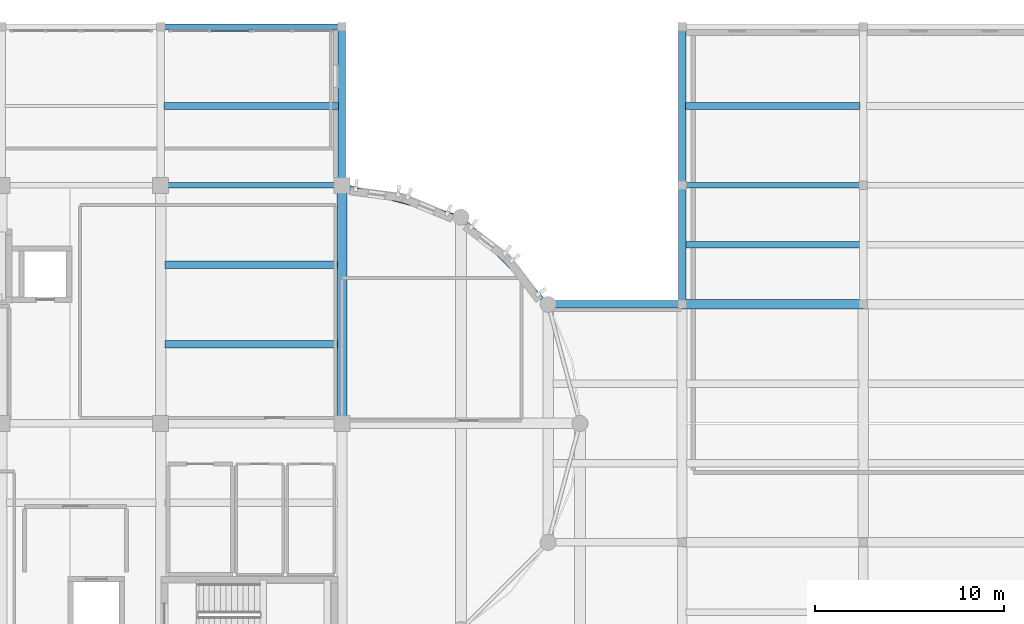
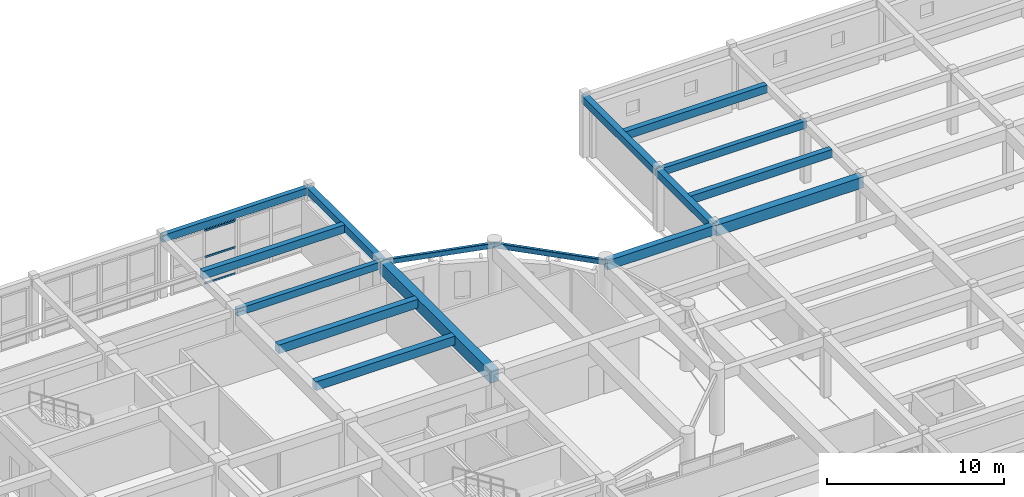
# One storey, part 42 of 92: 16 beams, 3 members, 1 element without a shape of its own.
"""IFC4 building model written with IfcOpenShell, lengths in metres."""

from ifc_helpers import new_model, si_unit, direction, frame, origin, origin_2d, place, context, subcontext, project, spatial, rectangle, hollow_rectangle, extrude, material, layer, layer_set, material_profile, profile_set, type_object, element, aggregate, save


model = new_model("IFC4")

# Units and contexts
model_context = context("Model", 3, precision=1e-05, world=origin(), true_north=direction((0.0, 1.0)))
body_context = subcontext(model_context, "Body", "Model", "MODEL_VIEW")
ifc_project = project(units=[si_unit("LENGTHUNIT", "METRE"), si_unit("AREAUNIT", "SQUARE_METRE"), si_unit("VOLUMEUNIT", "CUBIC_METRE"), si_unit("PLANEANGLEUNIT", "RADIAN"), si_unit("MASSUNIT", "GRAM", prefix="KILO")], contexts=[model_context])

# Site, building, storey
site_placement = place(None, origin())
site = spatial("IfcSite", under=ifc_project, at=site_placement, CompositionType="ELEMENT")
building_placement = place(site_placement, origin())
building = spatial("IfcBuilding", under=site, at=building_placement, Name="Tarnavel Promenade Courthouse", CompositionType="ELEMENT")
storey_placement = place(building_placement, frame((0.0, 0.0, 5.39990234375)))
storey = spatial("IfcBuildingStorey", under=building, at=storey_placement, Name="L02", CompositionType="ELEMENT", Elevation=5.39990234375)

# Beams
ifc_material_1 = material(Name="Concrete C40/50", Category="concrete")
ifc_material_profile_1 = material_profile(ifc_material_1, rectangle(XDim=0.35009765625, YDim=0.550048828125, at=origin_2d()), Name="PT 350x550")
ifc_profile_set_1 = profile_set([ifc_material_profile_1], Name="Concrete C40/50")
beam_type_1 = type_object("IfcBeamType", Name="Concrete C40/50 BM-PT-350x550 (PT 350x550)", PredefinedType="JOIST", material=ifc_profile_set_1)
for number, where, z_axis, x_axis, name in (
    (1, (92.570068359375, 108.60009765625, 3.960205078125), (1.0, 0.0, 0.0), (0.0, 1.0, 0.0), "L02 Secondary Floor Rib 1474"),
    (2, (120.169921875, 108.60009765625, 3.960205078125), (1.0, 0.0, 0.0), (0.0, 1.0, 0.0), "L02 Secondary Floor Rib 1475"),
    (3, (120.169921875, 101.25, 3.960205078125), (1.0, 0.0, 0.0), (0.0, 1.0, 0.0), "L02 Secondary Floor Rib 1511"),
):
    element("IfcBeam", number, at=place(storey_placement, frame(where, z_axis=z_axis, x_axis=x_axis)), inside=storey, type_object=beam_type_1, Name=name, PredefinedType="JOIST", context=body_context, shape_type="SweptSolid", body=[
        extrude(rectangle(XDim=0.35009765625, YDim=0.550048828125, at=origin_2d()), origin(), (0.0, 0.0, 1.0), 9.260009765625),
    ])
ifc_material_profile_2 = material_profile(ifc_material_1, rectangle(XDim=0.39990234375, YDim=0.60009765625, at=origin_2d()), Name="PT 400x600")
ifc_profile_set_2 = profile_set([ifc_material_profile_2], Name="Concrete C40/50")
beam_type_2 = type_object("IfcBeamType", Name="Concrete C40/50 BM-PT-400x600 (PT 400x600)", PredefinedType="JOIST", material=ifc_profile_set_2)
for number, where, z_axis, x_axis, name in (
    (4, (92.64501953125, 96.0, 3.93505859375), (1.0, 0.0, 0.0), (0.0, 1.0, 0.0), "L02 Secondary Floor Rib 1468"),
    (5, (92.64501953125, 100.199951171875, 3.93505859375), (1.0, 0.0, 0.0), (0.0, 1.0, 0.0), "L02 Secondary Floor Rib 1469"),
):
    element("IfcBeam", number, at=place(storey_placement, frame(where, z_axis=z_axis, x_axis=x_axis)), inside=storey, type_object=beam_type_2, Name=name, PredefinedType="JOIST", context=body_context, shape_type="SweptSolid", body=[
        extrude(rectangle(XDim=0.39990234375, YDim=0.60009765625, at=origin_2d()), origin(), (0.0, 0.0, 1.0), 9.10986328125),
    ])
ifc_material_profile_3 = material_profile(ifc_material_1, rectangle(XDim=0.550048828125, YDim=0.85009765625, at=origin_2d()), Name="PT 550x850")
ifc_profile_set_3 = profile_set([ifc_material_profile_3], Name="Concrete C40/50")
beam_type_3 = type_object("IfcBeamType", Name="Concrete C40/50 BM-PT-550x850 (PT 550x850)", PredefinedType="T_BEAM", material=ifc_profile_set_3)
beam_1_placement = place(storey_placement, frame((102.0, 91.800048828125, 3.81005859375), z_axis=(0.0, 1.0, 0.0), x_axis=(-1.0, 0.0, 0.0)))
element("IfcBeam", 6, at=beam_1_placement, inside=storey, type_object=beam_type_3, Name="L02 Transverse Girder 1308", PredefinedType="T_BEAM", context=body_context, shape_type="SweptSolid", body=[
    extrude(rectangle(XDim=0.550048828125, YDim=0.85009765625, at=origin_2d()), origin(), (0.0, 0.0, 1.0), 12.599853515625),
])
ifc_material_profile_4 = material_profile(ifc_material_1, rectangle(XDim=0.39990234375, YDim=0.5, at=origin_2d()), Name="RC 400x500")
ifc_profile_set_4 = profile_set([ifc_material_profile_4], Name="Concrete C40/50")
beam_type_4 = type_object("IfcBeamType", Name="Concrete C40/50 BM-RC-400x500 (RC 400x500)", PredefinedType="BEAM", material=ifc_profile_set_4)
beam_2_placement = place(storey_placement, frame((102.0, 104.39990234375, 3.985107421875), z_axis=(0.0, 1.0, 0.0), x_axis=(-1.0, 0.0, 0.0)))
element("IfcBeam", 7, at=beam_2_placement, inside=storey, type_object=beam_type_4, Name="L02 Transverse Girder 1309", PredefinedType="BEAM", context=body_context, shape_type="SweptSolid", body=[
    extrude(rectangle(XDim=0.39990234375, YDim=0.5, at=origin_2d()), origin(), (0.0, 0.0, 1.0), 8.400146484375),
])
beam_3_placement = place(storey_placement, frame((120.0, 98.10009765625, 3.985107421875), z_axis=(0.0, 1.0, 0.0), x_axis=(-1.0, 0.0, 0.0)))
element("IfcBeam", 8, at=beam_3_placement, inside=storey, type_object=beam_type_4, Name="L02 Transverse Girder 1321", PredefinedType="BEAM", context=body_context, shape_type="SweptSolid", body=[
    extrude(rectangle(XDim=0.39990234375, YDim=0.5, at=origin_2d()), origin(), (0.0, 0.0, 1.0), 6.2998046875),
])
beam_4_placement = place(storey_placement, frame((120.0, 104.39990234375, 3.985107421875), z_axis=(0.0, 1.0, 0.0), x_axis=(-1.0, 0.0, 0.0)))
element("IfcBeam", 9, at=beam_4_placement, inside=storey, type_object=beam_type_4, Name="L02 Transverse Girder 1322", PredefinedType="BEAM", context=body_context, shape_type="SweptSolid", body=[
    extrude(rectangle(XDim=0.39990234375, YDim=0.5, at=origin_2d()), origin(), (0.0, 0.0, 1.0), 8.400146484375),
])
ifc_material_profile_5 = material_profile(ifc_material_1, rectangle(XDim=0.39990234375, YDim=0.64990234375, at=origin_2d()), Name="RC 400x650")
ifc_profile_set_5 = profile_set([ifc_material_profile_5], Name="Concrete C40/50")
beam_type_5 = type_object("IfcBeamType", Name="Concrete C40/50 BM-RC-400x650 (RC 400x650)", PredefinedType="BEAM", material=ifc_profile_set_5)
beam_5_placement = place(storey_placement, frame((112.911865234375, 98.10009765625, 3.91015625), z_axis=(1.0, 0.0, 0.0), x_axis=(0.0, 1.0, 0.0)))
element("IfcBeam", 10, at=beam_5_placement, inside=storey, type_object=beam_type_5, Name="L02 Primary Longitudinal Beam 1196", PredefinedType="BEAM", context=body_context, shape_type="SweptSolid", body=[
    extrude(rectangle(XDim=0.39990234375, YDim=0.64990234375, at=origin_2d()), origin(), (0.0, 0.0, 1.0), 7.088134765625),
])
ifc_material_profile_6 = material_profile(ifc_material_1, rectangle(XDim=0.5, YDim=0.75, at=origin_2d()), Name="RC 500x750")
ifc_profile_set_6 = profile_set([ifc_material_profile_6], Name="Concrete C40/50")
beam_type_6 = type_object("IfcBeamType", Name="Concrete C40/50 BM-RC-500x750 (RC 500x750)", PredefinedType="T_BEAM", material=ifc_profile_set_6)
beam_6_placement = place(storey_placement, frame((120.0, 98.10009765625, 3.860107421875), z_axis=(1.0, 0.0, 0.0), x_axis=(0.0, 1.0, 0.0)))
element("IfcBeam", 11, at=beam_6_placement, inside=storey, type_object=beam_type_6, Name="L02 Primary Longitudinal Beam 1197", PredefinedType="T_BEAM", context=body_context, shape_type="SweptSolid", body=[
    extrude(rectangle(XDim=0.5, YDim=0.75, at=origin_2d()), origin(), (0.0, 0.0, 1.0), 9.60009765625),
])
ifc_material_profile_7 = material_profile(ifc_material_1, rectangle(XDim=0.300048828125, YDim=0.5, at=origin_2d()), Name="RC 300x500")
ifc_profile_set_7 = profile_set([ifc_material_profile_7], Name="Concrete C40/50")
beam_type_7 = type_object("IfcBeamType", Name="Concrete C40/50 BM-SP-300x500 (RC 300x500)", PredefinedType="SPANDREL", material=ifc_profile_set_7)
for number, where, z_axis, x_axis, name in (
    (12, (92.39990234375, 104.39990234375, 3.985107421875), (1.0, 0.0, 0.0), (0.0, 1.0, 0.0), "L02 Primary Longitudinal Beam 1205"),
    (13, (120.0, 104.39990234375, 3.985107421875), (1.0, 0.0, 0.0), (0.0, 1.0, 0.0), "L02 Primary Longitudinal Beam 1206"),
    (14, (92.39990234375, 112.800048828125, 3.985107421875), (1.0, 0.0, 0.0), (0.0, 1.0, 0.0), "L02 Primary Longitudinal Beam 1220"),
):
    element("IfcBeam", number, at=place(storey_placement, frame(where, z_axis=z_axis, x_axis=x_axis)), inside=storey, type_object=beam_type_7, Name=name, PredefinedType="SPANDREL", context=body_context, shape_type="SweptSolid", body=[
        extrude(rectangle(XDim=0.300048828125, YDim=0.5, at=origin_2d()), origin(), (0.0, 0.0, 1.0), 9.60009765625),
    ])
ifc_material_2 = material(Name="Steel S355J2", Category="steel")
ifc_material_profile_8 = material_profile(ifc_material_2, hollow_rectangle(XDim=0.199951171875, YDim=0.35009765625, WallThickness=0.012451171875, InnerFilletRadius=0.012451171875, OuterFilletRadius=0.02490234375, at=origin_2d()), Name="RHS 350x200x12.5")
ifc_profile_set_8 = profile_set([ifc_material_profile_8], Name="Steel S355J2")
beam_type_8 = type_object("IfcBeamType", Name="Steel S355J2 BM-ST-RHS350 (RHS 350x200x12.5)", PredefinedType="SPANDREL", material=ifc_profile_set_8)
beam_7_placement = place(storey_placement, frame((112.911865234375, 98.10009765625, 4.06005859375), z_axis=(-0.707106781187, 0.707106781187, 0.0), x_axis=(-0.707106781187, -0.707106781187, 0.0)))
element("IfcBeam", 15, at=beam_7_placement, inside=storey, type_object=beam_type_8, Name="L02 Drum Ring Spandrel 1525", PredefinedType="SPANDREL", context=body_context, shape_type="SweptSolid", body=[
    extrude(hollow_rectangle(XDim=0.199951171875, YDim=0.35009765625, WallThickness=0.012451171875, InnerFilletRadius=0.012451171875, OuterFilletRadius=0.02490234375, at=origin_2d()), origin(), (0.0, 0.0, 1.0), 6.52197265625),
])
beam_8_placement = place(storey_placement, frame((108.300048828125, 102.7119140625, 4.06005859375), z_axis=(-0.965929839907, 0.258804065612, 0.0), x_axis=(-0.258804065612, -0.965929839907, 0.0)))
element("IfcBeam", 16, at=beam_8_placement, inside=storey, type_object=beam_type_8, Name="L02 Drum Ring Spandrel 1526", PredefinedType="SPANDREL", context=body_context, shape_type="SweptSolid", body=[
    extrude(hollow_rectangle(XDim=0.199951171875, YDim=0.35009765625, WallThickness=0.012451171875, InnerFilletRadius=0.012451171875, OuterFilletRadius=0.02490234375, at=origin_2d()), origin(), (0.0, 0.0, 1.0), 6.522216796875),
])

# Curtain wall, members
ifc_material_3 = material(Name="Thermally Broken Anodised Aluminium Curtain Wall System", Category="aluminium")
ifc_layer = layer(ifc_material_3, 0.199951171875)
ifc_layer_set = layer_set([ifc_layer], Name="Thermally Broken Anodised Aluminium Curtain Wall System")
curtain_wall_type = type_object("IfcCurtainWallType", Name="Thermally Broken Aluminium Triple-Glazed Curtain Wall CW-FOYER", PredefinedType="NOTDEFINED", material=ifc_layer_set)
curtain_wall_placement = place(storey_placement, origin())
curtain_wall = element("IfcCurtainWall", 17, at=curtain_wall_placement, inside=storey, type_object=curtain_wall_type, Name="L02 North Foyer Curtain Wall A 136", PredefinedType="NOTDEFINED")
ifc_material_4 = material(Name="Thermally Broken Anodised Aluminium Frame", Category="aluminium")
ifc_material_profile_9 = material_profile(ifc_material_4, hollow_rectangle(XDim=0.070068359375, YDim=0.139892578125, WallThickness=0.0048828125, InnerFilletRadius=0.0048828125, OuterFilletRadius=0.010009765625, at=origin_2d()), Name="CWT 140x70x5")
ifc_profile_set_9 = profile_set([ifc_material_profile_9], Name="Thermally Broken Anodised Aluminium Frame")
member_type = type_object("IfcMemberType", Name="Thermally Broken Anodised Aluminium CWT-125 (CWT 140x70x5)", PredefinedType="USERDEFINED", material=ifc_profile_set_9)
member_1_placement = place(storey_placement, frame((95.06005859375, 112.580078125, 0.03515625), z_axis=(1.0, 0.0, 0.0), x_axis=(0.0, 1.0, 0.0)))
member_1 = element("IfcMember", 18, at=member_1_placement, type_object=member_type, Name="CW-04 transom 2.1", ObjectType="TRANSOM", PredefinedType="USERDEFINED", context=body_context, shape_type="SweptSolid", body=[
    extrude(hollow_rectangle(XDim=0.070068359375, YDim=0.139892578125, WallThickness=0.0048828125, InnerFilletRadius=0.0048828125, OuterFilletRadius=0.010009765625, at=origin_2d()), origin(), (0.0, 0.0, 1.0), 2.02001953125),
])
member_2_placement = place(storey_placement, frame((95.06005859375, 112.580078125, 1.860107421875), z_axis=(1.0, 0.0, 0.0), x_axis=(0.0, 1.0, 0.0)))
member_2 = element("IfcMember", 19, at=member_2_placement, type_object=member_type, Name="CW-04 transom 2.2", ObjectType="TRANSOM", PredefinedType="USERDEFINED", context=body_context, shape_type="SweptSolid", body=[
    extrude(hollow_rectangle(XDim=0.070068359375, YDim=0.139892578125, WallThickness=0.0048828125, InnerFilletRadius=0.0048828125, OuterFilletRadius=0.010009765625, at=origin_2d()), origin(), (0.0, 0.0, 1.0), 2.02001953125),
])
member_3_placement = place(storey_placement, frame((95.06005859375, 112.580078125, 3.68505859375), z_axis=(1.0, 0.0, 0.0), x_axis=(0.0, 1.0, 0.0)))
member_3 = element("IfcMember", 20, at=member_3_placement, type_object=member_type, Name="CW-04 transom 2.3", ObjectType="TRANSOM", PredefinedType="USERDEFINED", context=body_context, shape_type="SweptSolid", body=[
    extrude(hollow_rectangle(XDim=0.070068359375, YDim=0.139892578125, WallThickness=0.0048828125, InnerFilletRadius=0.0048828125, OuterFilletRadius=0.010009765625, at=origin_2d()), origin(), (0.0, 0.0, 1.0), 2.02001953125),
])
aggregate(curtain_wall, [member_1, member_2, member_3])

save(model, "model.ifc")
